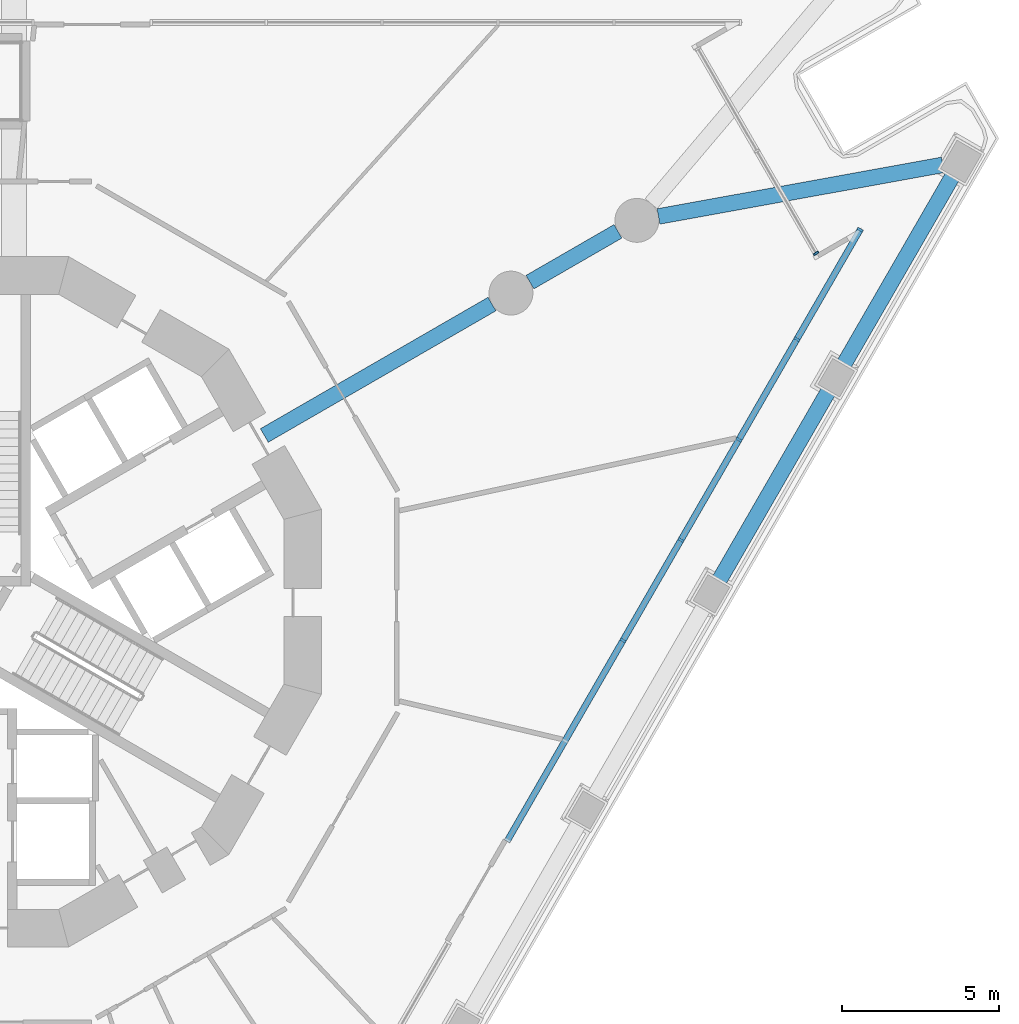
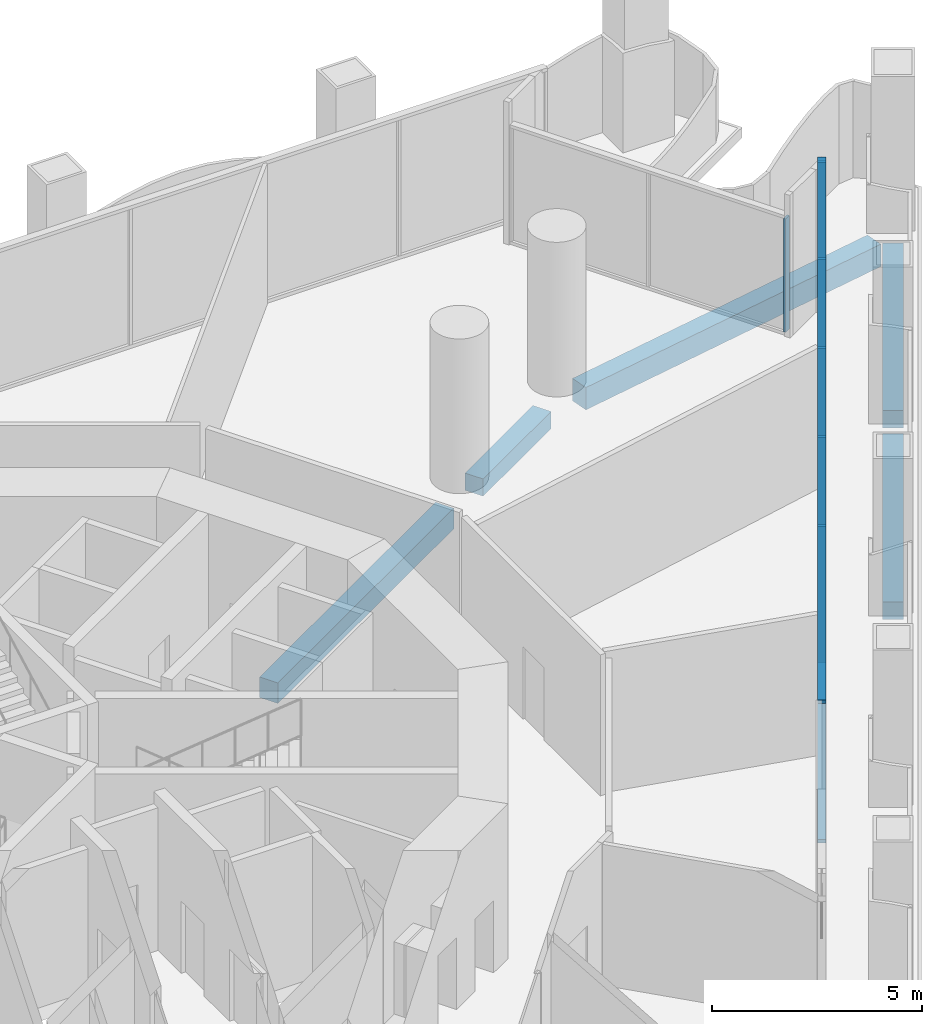
# One storey, part 7 of 21: 8 members, 5 beams, 2 elements without a shape of their own.
"""IFC4 building model written with IfcOpenShell, lengths in metres."""

from ifc_helpers import new_model, si_unit, direction, frame, origin, origin_2d, place, context, subcontext, project, spatial, rectangle, extrude, material, layer, layer_set, material_profile, profile_set, type_object, element, aggregate, save


model = new_model("IFC4")

# Units and contexts
model_context = context("Model", 3, precision=1e-05, world=origin(), true_north=direction((0.0, 1.0)))
body_context = subcontext(model_context, "Body", "Model", "MODEL_VIEW")
ifc_project = project(units=[si_unit("LENGTHUNIT", "METRE"), si_unit("AREAUNIT", "SQUARE_METRE"), si_unit("VOLUMEUNIT", "CUBIC_METRE"), si_unit("PLANEANGLEUNIT", "RADIAN"), si_unit("MASSUNIT", "GRAM", prefix="KILO")], contexts=[model_context])

# Site, building, storey
site_placement = place(None, origin())
site = spatial("IfcSite", under=ifc_project, at=site_placement, CompositionType="ELEMENT")
building_placement = place(site_placement, origin())
building = spatial("IfcBuilding", under=site, at=building_placement, Name="Trine Commons Tower", CompositionType="ELEMENT")
storey_placement = place(building_placement, frame((0.0, 0.0, 9.0)))
storey = spatial("IfcBuildingStorey", under=building, at=storey_placement, Name="L01", CompositionType="ELEMENT", Elevation=9.0)

# Curtain wall, member
ifc_material_1 = material(Name="Corner pocket glazing: anodised aluminium frame with low-emissivity double glazed unit, laminated", Category="aluminium")
ifc_layer_1 = layer(ifc_material_1, 0.179931640625)
ifc_layer_set_1 = layer_set([ifc_layer_1], Name="Corner pocket glazing: anodised aluminium frame with low-emissivity double glazed unit, laminated")
curtain_wall_type_1 = type_object("IfcCurtainWallType", Name="Corner pocket glazing curtain wall CW8", PredefinedType="NOTDEFINED", material=ifc_layer_set_1)
curtain_wall_1_placement = place(storey_placement, origin())
curtain_wall_1 = element("IfcCurtainWall", 1, at=curtain_wall_1_placement, inside=storey, type_object=curtain_wall_type_1, Name="Corner pocket glazing L01 P2.1", PredefinedType="NOTDEFINED")
ifc_material_2 = material(Name="Anodised aluminium, bronze finish", Category="aluminium")
ifc_material_profile_1 = material_profile(ifc_material_2, rectangle(XDim=0.179931640625, YDim=0.06494140625, at=origin_2d()), Name="Mullion 65x180")
ifc_profile_set_1 = profile_set([ifc_material_profile_1], Name="Anodised aluminium, bronze finish")
member_type_1 = type_object("IfcMemberType", Name="Mullion 65x180, Anodised aluminium, bronze finish", PredefinedType="MULLION", material=ifc_profile_set_1)
member_1_placement = place(storey_placement, frame((106.7900390625, 73.616943359375, 0.090087890625), z_axis=(0.0, 0.0, 1.0), x_axis=(0.866025403784, 0.5, 0.0)))
member_1 = element("IfcMember", 2, at=member_1_placement, type_object=member_type_1, Name="CW8 mullion 3.1", PredefinedType="MULLION", context=body_context, shape_type="SweptSolid", body=[
    extrude(rectangle(XDim=0.179931640625, YDim=0.06494140625, at=origin_2d()), origin(), (0.0, 0.0, 1.0), 3.2998046875),
])
aggregate(curtain_wall_1, [member_1])

# Curtain wall, members
ifc_material_3 = material(Name="Podium glazing: anodised aluminium frame with low-emissivity double glazed unit", Category="aluminium")
ifc_layer_2 = layer(ifc_material_3, 0.199951171875)
ifc_layer_set_2 = layer_set([ifc_layer_2], Name="Podium glazing: anodised aluminium frame with low-emissivity double glazed unit")
curtain_wall_type_2 = type_object("IfcCurtainWallType", Name="Podium glazing curtain wall CW3", PredefinedType="NOTDEFINED", material=ifc_layer_set_2)
curtain_wall_2_placement = place(storey_placement, origin())
curtain_wall_2 = element("IfcCurtainWall", 3, at=curtain_wall_2_placement, inside=storey, type_object=curtain_wall_type_2, Name="Podium glazing L01 F2.1", PredefinedType="NOTDEFINED")
ifc_material_profile_2 = material_profile(ifc_material_2, rectangle(XDim=0.199951171875, YDim=0.074951171875, at=origin_2d()), Name="Mullion 75x200")
ifc_profile_set_2 = profile_set([ifc_material_profile_2], Name="Anodised aluminium, bronze finish")
member_type_2 = type_object("IfcMemberType", Name="Mullion 75x200, Anodised aluminium, bronze finish", PredefinedType="MULLION", material=ifc_profile_set_2)
member_2_placement = place(storey_placement, frame((108.197509765625, 74.370361328125, 0.10009765625), z_axis=(0.0, 0.0, 1.0), x_axis=(0.866025403784, -0.5, 0.0)))
member_2 = element("IfcMember", 4, at=member_2_placement, type_object=member_type_2, Name="CW3 mullion 1.1", PredefinedType="MULLION", context=body_context, shape_type="SweptSolid", body=[
    extrude(rectangle(XDim=0.199951171875, YDim=0.074951171875, at=origin_2d()), origin(), (0.0, 0.0, 1.0), 3.949951171875),
])
member_3_placement = place(storey_placement, frame((106.18017578125, 70.876220703125, 0.10009765625), z_axis=(0.0, 0.0, 1.0), x_axis=(0.866025403784, -0.5, 0.0)))
member_3 = element("IfcMember", 5, at=member_3_placement, type_object=member_type_2, Name="CW3 mullion 2.1", PredefinedType="MULLION", context=body_context, shape_type="SweptSolid", body=[
    extrude(rectangle(XDim=0.199951171875, YDim=0.074951171875, at=origin_2d()), origin(), (0.0, 0.0, 1.0), 3.949951171875),
])
member_4_placement = place(storey_placement, frame((104.330810546875, 67.6728515625, 0.10009765625), z_axis=(0.0, 0.0, 1.0), x_axis=(0.866025403784, -0.5, 0.0)))
member_4 = element("IfcMember", 6, at=member_4_placement, type_object=member_type_2, Name="CW3 mullion 3.1", PredefinedType="MULLION", context=body_context, shape_type="SweptSolid", body=[
    extrude(rectangle(XDim=0.199951171875, YDim=0.074951171875, at=origin_2d()), origin(), (0.0, 0.0, 1.0), 3.949951171875),
])
member_5_placement = place(storey_placement, frame((102.481201171875, 64.469482421875, 0.10009765625), z_axis=(0.0, 0.0, 1.0), x_axis=(0.866025403784, -0.5, 0.0)))
member_5 = element("IfcMember", 7, at=member_5_placement, type_object=member_type_2, Name="CW3 mullion 4.1", PredefinedType="MULLION", context=body_context, shape_type="SweptSolid", body=[
    extrude(rectangle(XDim=0.199951171875, YDim=0.074951171875, at=origin_2d()), origin(), (0.0, 0.0, 1.0), 3.949951171875),
])
member_6_placement = place(storey_placement, frame((100.6318359375, 61.26611328125, 0.10009765625), z_axis=(0.0, 0.0, 1.0), x_axis=(0.866025403784, -0.5, 0.0)))
member_6 = element("IfcMember", 8, at=member_6_placement, type_object=member_type_2, Name="CW3 mullion 5.1", PredefinedType="MULLION", context=body_context, shape_type="SweptSolid", body=[
    extrude(rectangle(XDim=0.199951171875, YDim=0.074951171875, at=origin_2d()), origin(), (0.0, 0.0, 1.0), 3.949951171875),
])

# Beams
ifc_material_4 = material(Name="Concrete C50/60", Category="concrete")
ifc_material_profile_3 = material_profile(ifc_material_4, rectangle(XDim=0.5, YDim=0.5, at=origin_2d()), Name="RC 500x500")
ifc_profile_set_3 = profile_set([ifc_material_profile_3], Name="Concrete C50/60")
beam_type_1 = type_object("IfcBeamType", Name="RC beam 500x500, C50/60", PredefinedType="BEAM", material=ifc_profile_set_3)
beam_1_placement = place(storey_placement, frame((111.15380859375, 76.0908203125, -0.64990234375), z_axis=(-0.49999660792, -0.866027362194, 0.0), x_axis=(0.866027362194, -0.49999660792, 0.0)))
element("IfcBeam", 9, at=beam_1_placement, inside=storey, type_object=beam_type_1, Name="Beam EB1-15 L01", PredefinedType="BEAM", context=body_context, shape_type="SweptSolid", body=[
    extrude(rectangle(XDim=0.5, YDim=0.5, at=origin_2d()), origin(), (0.0, 0.0, 1.0), 6.96337890625),
])
beam_2_placement = place(storey_placement, frame((107.197021484375, 69.237548828125, -0.64990234375), z_axis=(-0.499991645397, -0.866030227263, 0.0), x_axis=(0.866030227263, -0.499991645397, 0.0)))
element("IfcBeam", 10, at=beam_2_placement, inside=storey, type_object=beam_type_1, Name="Beam EB1-16 L01", PredefinedType="BEAM", context=body_context, shape_type="SweptSolid", body=[
    extrude(rectangle(XDim=0.5, YDim=0.5, at=origin_2d()), origin(), (0.0, 0.0, 1.0), 7.01318359375),
])
beam_3_placement = place(storey_placement, frame((97.663818359375, 72.697998046875, -0.64990234375), z_axis=(0.865996235589, 0.500050517394, 0.0), x_axis=(-0.500050517394, 0.865996235589, 0.0)))
element("IfcBeam", 11, at=beam_3_placement, inside=storey, type_object=beam_type_1, Name="Beam RB1-04 L01", PredefinedType="BEAM", context=body_context, shape_type="SweptSolid", body=[
    extrude(rectangle(XDim=0.5, YDim=0.5, at=origin_2d()), origin(), (0.0, 0.0, 1.0), 3.242431640625),
])
ifc_material_profile_4 = material_profile(ifc_material_4, rectangle(XDim=0.5, YDim=0.60009765625, at=origin_2d()), Name="RC 500x600")
ifc_profile_set_4 = profile_set([ifc_material_profile_4], Name="Concrete C50/60")
beam_type_2 = type_object("IfcBeamType", Name="RC beam 500x600, C50/60", PredefinedType="BEAM", material=ifc_profile_set_4)
beam_4_placement = place(storey_placement, frame((89.18994140625, 67.805908203125, -0.699951171875), z_axis=(0.866038208851, 0.499977820318, 0.0), x_axis=(-0.499977820318, 0.866038208851, 0.0)))
element("IfcBeam", 12, at=beam_4_placement, inside=storey, type_object=beam_type_2, Name="Beam RB1-03 L01", PredefinedType="BEAM", context=body_context, shape_type="SweptSolid", body=[
    extrude(rectangle(XDim=0.5, YDim=0.60009765625, at=origin_2d()), origin(), (0.0, 0.0, 1.0), 8.38623046875),
])
ifc_material_profile_5 = material_profile(ifc_material_4, rectangle(XDim=0.5, YDim=0.64990234375, at=origin_2d()), Name="RC 500x650")
ifc_profile_set_5 = profile_set([ifc_material_profile_5], Name="Concrete C50/60")
beam_type_3 = type_object("IfcBeamType", Name="RC beam 500x650, C50/60", PredefinedType="BEAM", material=ifc_profile_set_5)
beam_5_placement = place(storey_placement, frame((110.8359375, 76.440185546875, -0.72509765625), z_axis=(-0.983921563764, -0.178601109628, 0.0), x_axis=(0.178601109628, -0.983921563764, 0.0)))
element("IfcBeam", 13, at=beam_5_placement, inside=storey, type_object=beam_type_3, Name="Beam CB1-04 L01", PredefinedType="BEAM", context=body_context, shape_type="SweptSolid", body=[
    extrude(rectangle(XDim=0.5, YDim=0.64990234375, at=origin_2d()), origin(), (0.0, 0.0, 1.0), 9.21875),
])

# Member
ifc_material_profile_6 = material_profile(ifc_material_2, rectangle(XDim=0.199951171875, YDim=0.10009765625, at=origin_2d()), Name="Transom 100x200")
ifc_profile_set_6 = profile_set([ifc_material_profile_6], Name="Anodised aluminium, bronze finish")
member_type_3 = type_object("IfcMemberType", Name="Transom 100x200, Anodised aluminium, bronze finish", PredefinedType="USERDEFINED", material=ifc_profile_set_6)
member_7_placement = place(storey_placement, frame((108.21630859375, 74.40283203125, 0.050048828125), z_axis=(-0.499997470867, -0.866026863975, 0.0), x_axis=(0.866026863975, -0.499997470867, 0.0)))
member_7 = element("IfcMember", 14, at=member_7_placement, type_object=member_type_3, Name="CW3 transom T00", ObjectType="TRANSOM", PredefinedType="USERDEFINED", context=body_context, shape_type="SweptSolid", body=[
    extrude(rectangle(XDim=0.199951171875, YDim=0.10009765625, at=origin_2d()), origin(), (0.0, 0.0, 1.0), 22.56640625),
])

member_8_placement = place(storey_placement, frame((108.21630859375, 74.40283203125, 4.10009765625), z_axis=(-0.499997470867, -0.866026863975, 0.0), x_axis=(0.866026863975, -0.499997470867, 0.0)))
member_8 = element("IfcMember", 15, at=member_8_placement, type_object=member_type_3, Name="CW3 transom TH00", ObjectType="TRANSOM", PredefinedType="USERDEFINED", context=body_context, shape_type="SweptSolid", body=[
    extrude(rectangle(XDim=0.199951171875, YDim=0.10009765625, at=origin_2d()), origin(), (0.0, 0.0, 1.0), 22.56640625),
])

aggregate(curtain_wall_2, [member_7, member_8, member_2, member_3, member_4, member_5, member_6])

save(model, "model.ifc")
